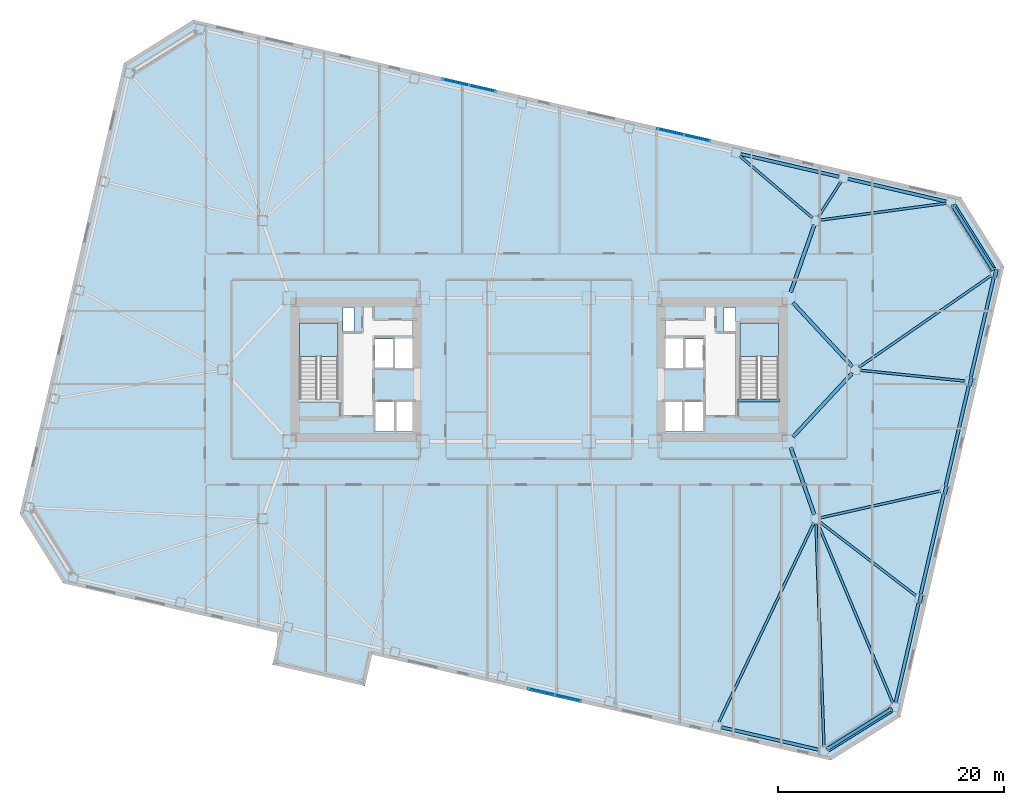
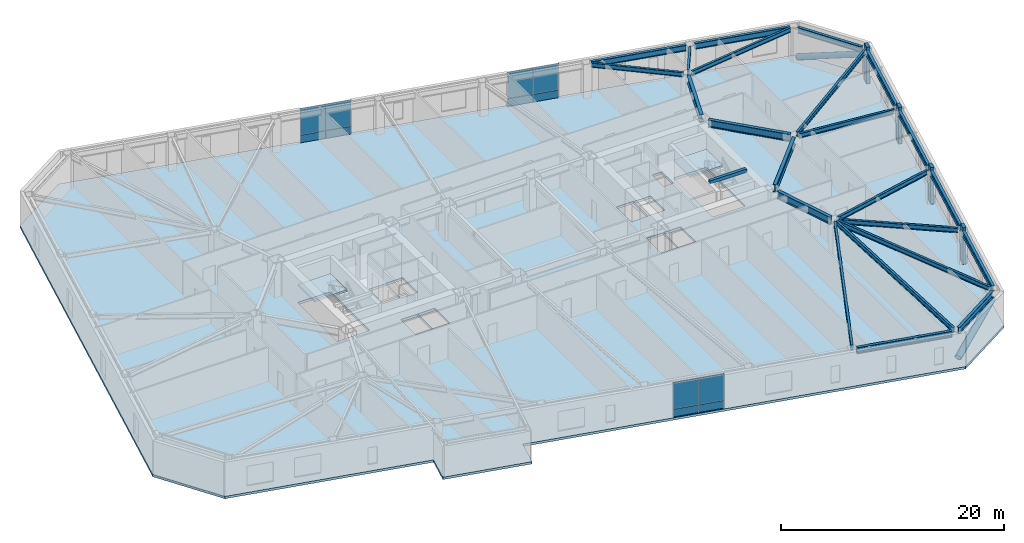
# One storey, part 7 of 18: 24 beams, 12 plates, 6 members, 3 slabs, 5 elements without a shape of their own.
"""IFC4 building model written with IfcOpenShell, lengths in metres."""

from ifc_helpers import new_model, si_unit, direction, frame, origin, origin_2d, place, context, subcontext, project, spatial, polyline, rectangle, hollow_circle, i_section, outline, extrude, material, layer, layer_set, material_profile, profile_set, type_object, element, aggregate, save


model = new_model("IFC4")

# Units and contexts
model_context = context("Model", 3, precision=1e-05, world=origin(), true_north=direction((0.0, 1.0)))
body_context = subcontext(model_context, "Body", "Model", "MODEL_VIEW")
ifc_project = project(units=[si_unit("LENGTHUNIT", "METRE"), si_unit("AREAUNIT", "SQUARE_METRE"), si_unit("VOLUMEUNIT", "CUBIC_METRE"), si_unit("PLANEANGLEUNIT", "RADIAN"), si_unit("MASSUNIT", "GRAM", prefix="KILO")], contexts=[model_context])

# Site, building, storey
site_placement = place(None, origin())
site = spatial("IfcSite", under=ifc_project, at=site_placement, CompositionType="ELEMENT")
building_placement = place(site_placement, origin())
building = spatial("IfcBuilding", under=site, at=building_placement, Name="Tavrogorsk Clinical Tower", CompositionType="ELEMENT")
storey_placement = place(building_placement, frame((0.0, 0.0, 51.39990234375)))
storey = spatial("IfcBuildingStorey", under=building, at=storey_placement, Name="L10", CompositionType="ELEMENT", Elevation=51.39990234375)

# Members
ifc_material_1 = material(Name="Structural steel S440", Category="steel")
ifc_material_profile_1 = material_profile(ifc_material_1, hollow_circle(Radius=0.304931640625, WallThickness=0.02490234375, at=origin_2d()), Name="CHS-610x25")
ifc_profile_set_1 = profile_set([ifc_material_profile_1], Name="Structural steel S440")
member_type_1 = type_object("IfcMemberType", Name="ExoBrace_CHS610", PredefinedType="BRACE", material=ifc_profile_set_1)
for number, where, z_axis, x_axis, name in (
    (1, (25.56396484375, -33.553955078125, 0.442626953125), (0.794678685861, 0.496570017703, 0.349147538667), (-0.529919005048, 0.848048258113, 0.0), "L10 Corner Exoskeleton Brace S8-E1"),
    (2, (36.65380859375, 14.481689453125, 0.442626953125), (0.496596175948, -0.794664984625, 0.349141518935), (0.848031606927, 0.529945651603, 0.0), "L10 Corner Exoskeleton Brace E5-N1"),
):
    element("IfcMember", number, at=place(storey_placement, frame(where, z_axis=z_axis, x_axis=x_axis)), inside=storey, type_object=member_type_1, Name=name, PredefinedType="BRACE", context=body_context, shape_type="SweptSolid", body=[
        extrude(hollow_circle(Radius=0.304931640625, WallThickness=0.02490234375, at=origin_2d()), origin(), (0.0, 0.0, 1.0), 7.03173828125),
    ])

# Beams
ifc_material_2 = material(Name="Structural steel S355", Category="steel")
ifc_material_profile_2 = material_profile(ifc_material_2, i_section(OverallWidth=0.219970703125, OverallDepth=0.5, WebThickness=0.012939453125, FlangeThickness=0.02001953125, at=origin_2d()), Name="B-500x220x13x20")
ifc_profile_set_2 = profile_set([ifc_material_profile_2], Name="Structural steel S355")
beam_type_1 = type_object("IfcBeamType", Name="FloorBeam_B500", PredefinedType="BEAM", material=ifc_profile_set_2)
beam_1_placement = place(storey_placement, frame((24.323486328125, -13.570068359375, 3.489990234375), z_axis=(-0.430503237889, -0.90258903282, 0.0), x_axis=(0.90258903282, -0.430503237889, 0.0)))
element("IfcBeam", 3, at=beam_1_placement, inside=storey, type_object=beam_type_1, Name="L10 Radial Floor Beam S7", PredefinedType="BEAM", context=body_context, shape_type="SweptSolid", body=[
    extrude(i_section(OverallWidth=0.219970703125, OverallDepth=0.5, WebThickness=0.012939453125, FlangeThickness=0.02001953125, at=origin_2d()), origin(), (0.0, 0.0, 1.0), 19.527587890625),
])
beam_2_placement = place(storey_placement, frame((24.5146484375, -13.609619140625, 3.489990234375), z_axis=(0.035968399295, -0.999352927775, 0.0), x_axis=(0.999352927775, 0.035968399295, 0.0)))
element("IfcBeam", 4, at=beam_2_placement, inside=storey, type_object=beam_type_1, Name="L10 Radial Floor Beam S8", PredefinedType="BEAM", context=body_context, shape_type="SweptSolid", body=[
    extrude(i_section(OverallWidth=0.219970703125, OverallDepth=0.5, WebThickness=0.012939453125, FlangeThickness=0.02001953125, at=origin_2d()), origin(), (0.0, 0.0, 1.0), 19.751953125),
])
beam_3_placement = place(storey_placement, frame((24.90625, 13.254638671875, 3.489990234375), z_axis=(0.991091561022, 0.133182272357, 0.0), x_axis=(-0.133182272357, 0.991091561022, 0.0)))
element("IfcBeam", 5, at=beam_3_placement, inside=storey, type_object=beam_type_1, Name="L10 Radial Floor Beam N1", PredefinedType="BEAM", context=body_context, shape_type="SweptSolid", body=[
    extrude(i_section(OverallWidth=0.219970703125, OverallDepth=0.5, WebThickness=0.012939453125, FlangeThickness=0.02001953125, at=origin_2d()), origin(), (0.0, 0.0, 1.0), 11.24072265625),
])
beam_4_placement = place(storey_placement, frame((24.722412109375, 13.54443359375, 3.489990234375), z_axis=(0.54237908978, 0.840133872052, 0.0), x_axis=(-0.840133872052, 0.54237908978, 0.0)))
element("IfcBeam", 6, at=beam_4_placement, inside=storey, type_object=beam_type_1, Name="L10 Radial Floor Beam N2", PredefinedType="BEAM", context=body_context, shape_type="SweptSolid", body=[
    extrude(i_section(OverallWidth=0.219970703125, OverallDepth=0.5, WebThickness=0.012939453125, FlangeThickness=0.02001953125, at=origin_2d()), origin(), (0.0, 0.0, 1.0), 3.70361328125),
])
beam_5_placement = place(storey_placement, frame((24.187744140625, 13.465576171875, 3.489990234375), z_axis=(-0.761805700094, 0.647805584496, 0.0), x_axis=(-0.647805584496, -0.761805700094, 0.0)))
element("IfcBeam", 7, at=beam_5_placement, inside=storey, type_object=beam_type_1, Name="L10 Radial Floor Beam N3", PredefinedType="BEAM", context=body_context, shape_type="SweptSolid", body=[
    extrude(i_section(OverallWidth=0.219970703125, OverallDepth=0.5, WebThickness=0.012939453125, FlangeThickness=0.02001953125, at=origin_2d()), origin(), (0.0, 0.0, 1.0), 8.431396484375),
])
beam_6_placement = place(storey_placement, frame((24.658447265625, -13.578125, 3.489990234375), z_axis=(0.386243430459, -0.922396884441, 0.0), x_axis=(0.922396884441, 0.386243430459, 0.0)))
element("IfcBeam", 8, at=beam_6_placement, inside=storey, type_object=beam_type_1, Name="L10 Radial Floor Beam E1", PredefinedType="BEAM", context=body_context, shape_type="SweptSolid", body=[
    extrude(i_section(OverallWidth=0.219970703125, OverallDepth=0.5, WebThickness=0.012939453125, FlangeThickness=0.02001953125, at=origin_2d()), origin(), (0.0, 0.0, 1.0), 17.243408203125),
])
beam_7_placement = place(storey_placement, frame((24.825439453125, -13.449462890625, 3.489990234375), z_axis=(0.7934457884, -0.608640929342, 0.0), x_axis=(0.608640929342, 0.7934457884, 0.0)))
element("IfcBeam", 9, at=beam_7_placement, inside=storey, type_object=beam_type_1, Name="L10 Radial Floor Beam E2", PredefinedType="BEAM", context=body_context, shape_type="SweptSolid", body=[
    extrude(i_section(OverallWidth=0.219970703125, OverallDepth=0.5, WebThickness=0.012939453125, FlangeThickness=0.02001953125, at=origin_2d()), origin(), (0.0, 0.0, 1.0), 10.769287109375),
])
beam_8_placement = place(storey_placement, frame((24.900146484375, -13.1103515625, 3.489990234375), z_axis=(0.975844140255, 0.218467878484, 0.0), x_axis=(-0.218467878484, 0.975844140255, 0.0)))
element("IfcBeam", 10, at=beam_8_placement, inside=storey, type_object=beam_type_1, Name="L10 Radial Floor Beam E3", PredefinedType="BEAM", context=body_context, shape_type="SweptSolid", body=[
    extrude(i_section(OverallWidth=0.219970703125, OverallDepth=0.5, WebThickness=0.012939453125, FlangeThickness=0.02001953125, at=origin_2d()), origin(), (0.0, 0.0, 1.0), 10.876708984375),
])
beam_9_placement = place(storey_placement, frame((28.407958984375, -0.041748046875, 3.489990234375), z_axis=(0.994791610226, -0.101929643501, 0.0), x_axis=(0.101929643501, 0.994791610226, 0.0)))
element("IfcBeam", 11, at=beam_9_placement, inside=storey, type_object=beam_type_1, Name="L10 Radial Floor Beam E4", PredefinedType="BEAM", context=body_context, shape_type="SweptSolid", body=[
    extrude(i_section(OverallWidth=0.219970703125, OverallDepth=0.5, WebThickness=0.012939453125, FlangeThickness=0.02001953125, at=origin_2d()), origin(), (0.0, 0.0, 1.0), 9.365234375),
])
beam_10_placement = place(storey_placement, frame((28.3369140625, 0.233642578125, 3.489990234375), z_axis=(0.82154295725, 0.570146620961, 0.0), x_axis=(-0.570146620961, 0.82154295725, 0.0)))
element("IfcBeam", 12, at=beam_10_placement, inside=storey, type_object=beam_type_1, Name="L10 Radial Floor Beam E5", PredefinedType="BEAM", context=body_context, shape_type="SweptSolid", body=[
    extrude(i_section(OverallWidth=0.219970703125, OverallDepth=0.5, WebThickness=0.012939453125, FlangeThickness=0.02001953125, at=origin_2d()), origin(), (0.0, 0.0, 1.0), 14.212646484375),
])

# Members
ifc_material_3 = material(Name="Precast concrete B45 with limestone cladding", Category="masonry")
ifc_material_profile_3 = material_profile(ifc_material_3, rectangle(XDim=0.320068359375, YDim=0.719970703125, at=origin_2d()), Name="LIMESTONE-FIN-320x720")
ifc_profile_set_3 = profile_set([ifc_material_profile_3], Name="Precast concrete B45 with limestone cladding")
member_type_2 = type_object("IfcMemberType", Name="LimestonePleatFin_320x720", PredefinedType="USERDEFINED", material=ifc_profile_set_3)
for number, where, z_axis, x_axis, name in (
    (13, (33.772216796875, -20.2705078125, 0.0), (0.0, 0.0, 1.0), (0.974370064785, -0.224951054344, 0.0), "L10 E Pleated Stone Fin 1"),
    (14, (35.990234375, -10.6630859375, 0.0), (0.0, 0.0, 1.0), (0.974370064785, -0.224951054344, 0.0), "L10 E Pleated Stone Fin 2"),
    (15, (38.208251953125, -1.055908203125, 0.0), (0.0, 0.0, 1.0), (0.974370064785, -0.224951054344, 0.0), "L10 E Pleated Stone Fin 3"),
    (16, (40.42626953125, 8.551513671875, 0.0), (0.0, 0.0, 1.0), (0.974370064785, -0.224951054344, 0.0), "L10 E Pleated Stone Fin 4"),
):
    element("IfcMember", number, at=place(storey_placement, frame(where, z_axis=z_axis, x_axis=x_axis)), inside=storey, type_object=member_type_2, Name=name, ObjectType="FIN", PredefinedType="USERDEFINED", context=body_context, shape_type="SweptSolid", body=[
        extrude(rectangle(XDim=0.320068359375, YDim=0.719970703125, at=origin_2d()), origin(), (0.0, 0.0, 1.0), 4.0),
    ])

# Beams
ifc_material_4 = material(Name="Structural steel S390", Category="steel")
ifc_material_profile_4 = material_profile(ifc_material_4, i_section(OverallWidth=0.320068359375, OverallDepth=0.800048828125, WebThickness=0.02001953125, FlangeThickness=0.033935546875, at=origin_2d()), Name="B-800x320x20x34")
ifc_profile_set_4 = profile_set([ifc_material_profile_4], Name="Structural steel S390")
beam_type_2 = type_object("IfcBeamType", Name="PrimaryGirder_B800", PredefinedType="USERDEFINED", material=ifc_profile_set_4)
for number, where, z_axis, x_axis, name in (
    (17, (24.364501953125, -12.81298828125, 3.340087890625), (-0.330668611543, 0.943746930771, 0.0), (-0.943746930771, -0.330668611543, 0.0), "L10 Spine Link Girder OPG-2"),
    (18, (24.364501953125, 12.81298828125, 3.340087890625), (-0.330668611543, -0.943746930771, 0.0), (0.943746930771, -0.330668611543, 0.0), "L10 Spine Link Girder OPG-4"),
):
    element("IfcBeam", number, at=place(storey_placement, frame(where, z_axis=z_axis, x_axis=x_axis)), inside=storey, type_object=beam_type_2, Name=name, ObjectType="GIRDER", PredefinedType="USERDEFINED", context=body_context, shape_type="SweptSolid", body=[
        extrude(i_section(OverallWidth=0.320068359375, OverallDepth=0.800048828125, WebThickness=0.02001953125, FlangeThickness=0.033935546875, at=origin_2d()), origin(), (0.0, 0.0, 1.0), 6.288330078125),
    ])
for number, where, z_axis, x_axis, name in (
    (19, (27.720947265625, -0.30029296875, 3.340087890625), (-0.680671250221, -0.732589004233, 0.0), (0.732589004233, -0.680671250221, 0.0), "L10 Spine Link Girder OPG-7"),
    (20, (27.720947265625, 0.30029296875, 3.340087890625), (-0.680671250221, 0.732589004233, 0.0), (-0.732589004233, -0.680671250221, 0.0), "L10 Spine Link Girder OPG-8"),
):
    element("IfcBeam", number, at=place(storey_placement, frame(where, z_axis=z_axis, x_axis=x_axis)), inside=storey, type_object=beam_type_2, Name=name, ObjectType="GIRDER", PredefinedType="USERDEFINED", context=body_context, shape_type="SweptSolid", body=[
        extrude(i_section(OverallWidth=0.320068359375, OverallDepth=0.800048828125, WebThickness=0.02001953125, FlangeThickness=0.033935546875, at=origin_2d()), origin(), (0.0, 0.0, 1.0), 7.697998046875),
    ])
ifc_material_5 = material(Name="Structural steel S390", Category="steel")
ifc_material_profile_5 = material_profile(ifc_material_5, i_section(OverallWidth=0.280029296875, OverallDepth=0.64990234375, WebThickness=0.01611328125, FlangeThickness=0.02490234375, at=origin_2d()), Name="B-650x280x16x25")
ifc_profile_set_5 = profile_set([ifc_material_profile_5], Name="Structural steel S390")
beam_type_3 = type_object("IfcBeamType", Name="SpandrelBeam_B650", PredefinedType="SPANDREL", material=ifc_profile_set_5)
beam_11_placement = place(storey_placement, frame((16.138427734375, -31.655517578125, 3.4150390625), z_axis=(0.974372766602, -0.224939351168, 0.0), x_axis=(0.224939351168, 0.974372766602, 0.0)))
element("IfcBeam", 21, at=beam_11_placement, inside=storey, type_object=beam_type_3, Name="L10 Perimeter Spandrel S7-S8", PredefinedType="SPANDREL", context=body_context, shape_type="SweptSolid", body=[
    extrude(i_section(OverallWidth=0.280029296875, OverallDepth=0.64990234375, WebThickness=0.01611328125, FlangeThickness=0.02490234375, at=origin_2d()), origin(), (0.0, 0.0, 1.0), 8.9326171875),
])
beam_12_placement = place(storey_placement, frame((25.585693359375, -33.540283203125, 3.4150390625), z_axis=(0.848061235793, 0.529898235839, 0.0), x_axis=(-0.529898235839, 0.848061235793, 0.0)))
element("IfcBeam", 22, at=beam_12_placement, inside=storey, type_object=beam_type_3, Name="L10 Perimeter Spandrel S8-E1", PredefinedType="SPANDREL", context=body_context, shape_type="SweptSolid", body=[
    extrude(i_section(OverallWidth=0.280029296875, OverallDepth=0.64990234375, WebThickness=0.01611328125, FlangeThickness=0.02490234375, at=origin_2d()), origin(), (0.0, 0.0, 1.0), 6.537841796875),
])
beam_13_placement = place(storey_placement, frame((31.56787109375, -29.462158203125, 3.4150390625), z_axis=(0.224971881043, 0.974365256328, 0.0), x_axis=(-0.974365256328, 0.224971881043, 0.0)))
element("IfcBeam", 23, at=beam_13_placement, inside=storey, type_object=beam_type_3, Name="L10 Perimeter Spandrel E1-E2", PredefinedType="SPANDREL", context=body_context, shape_type="SweptSolid", body=[
    extrude(i_section(OverallWidth=0.280029296875, OverallDepth=0.64990234375, WebThickness=0.01611328125, FlangeThickness=0.02490234375, at=origin_2d()), origin(), (0.0, 0.0, 1.0), 9.044189453125),
])
for number, where, z_axis, x_axis, name in (
    (24, (33.785888671875, -19.85498046875, 3.4150390625), (0.224946252597, 0.974371173343, 0.0), (-0.974371173343, 0.224946252597, 0.0), "L10 Perimeter Spandrel E2-E3"),
    (25, (36.00390625, -10.24755859375, 3.4150390625), (0.224946252597, 0.974371173343, 0.0), (-0.974371173343, 0.224946252597, 0.0), "L10 Perimeter Spandrel E3-E4"),
):
    element("IfcBeam", number, at=place(storey_placement, frame(where, z_axis=z_axis, x_axis=x_axis)), inside=storey, type_object=beam_type_3, Name=name, PredefinedType="SPANDREL", context=body_context, shape_type="SweptSolid", body=[
        extrude(i_section(OverallWidth=0.280029296875, OverallDepth=0.64990234375, WebThickness=0.01611328125, FlangeThickness=0.02490234375, at=origin_2d()), origin(), (0.0, 0.0, 1.0), 9.0439453125),
    ])
beam_14_placement = place(storey_placement, frame((38.221923828125, -0.640380859375, 3.4150390625), z_axis=(0.224971881043, 0.974365256328, 0.0), x_axis=(-0.974365256328, 0.224971881043, 0.0)))
element("IfcBeam", 26, at=beam_14_placement, inside=storey, type_object=beam_type_3, Name="L10 Perimeter Spandrel E4-E5", PredefinedType="SPANDREL", context=body_context, shape_type="SweptSolid", body=[
    extrude(i_section(OverallWidth=0.280029296875, OverallDepth=0.64990234375, WebThickness=0.01611328125, FlangeThickness=0.02490234375, at=origin_2d()), origin(), (0.0, 0.0, 1.0), 9.044189453125),
])
beam_15_placement = place(storey_placement, frame((40.132080078125, 8.91552734375, 3.4150390625), z_axis=(-0.529925092475, 0.848044454239, 0.0), x_axis=(-0.848044454239, -0.529925092475, 0.0)))
element("IfcBeam", 27, at=beam_15_placement, inside=storey, type_object=beam_type_3, Name="L10 Perimeter Spandrel E5-N1", PredefinedType="SPANDREL", context=body_context, shape_type="SweptSolid", body=[
    extrude(i_section(OverallWidth=0.280029296875, OverallDepth=0.64990234375, WebThickness=0.01611328125, FlangeThickness=0.02490234375, at=origin_2d()), origin(), (0.0, 0.0, 1.0), 6.537841796875),
])
for number, where, z_axis, x_axis, name in (
    (28, (36.0537109375, 14.897705078125, 3.4150390625), (-0.974366775889, 0.224965299645, 0.0), (-0.224965299645, -0.974366775889, 0.0), "L10 Perimeter Spandrel N1-N2"),
    (29, (26.554931640625, 17.090576171875, 3.4150390625), (-0.974366775889, 0.224965299645, 0.0), (-0.224965299645, -0.974366775889, 0.0), "L10 Perimeter Spandrel N2-N3"),
):
    element("IfcBeam", number, at=place(storey_placement, frame(where, z_axis=z_axis, x_axis=x_axis)), inside=storey, type_object=beam_type_3, Name=name, PredefinedType="SPANDREL", context=body_context, shape_type="SweptSolid", body=[
        extrude(i_section(OverallWidth=0.280029296875, OverallDepth=0.64990234375, WebThickness=0.01611328125, FlangeThickness=0.02490234375, at=origin_2d()), origin(), (0.0, 0.0, 1.0), 8.9326171875),
    ])
ifc_material_6 = material(Name="Concrete B60", Category="concrete")
ifc_material_profile_6 = material_profile(ifc_material_6, rectangle(XDim=0.300048828125, YDim=0.35009765625, at=origin_2d()), Name="RC-SHB-300x350")
ifc_profile_set_6 = profile_set([ifc_material_profile_6], Name="Concrete B60")
beam_type_4 = type_object("IfcBeamType", Name="StairHeaderBeam_RC300x350", PredefinedType="BEAM", material=ifc_profile_set_6)
beam_16_placement = place(storey_placement, frame((17.550048828125, -2.719970703125, 3.8251953125), z_axis=(1.0, 0.0, 0.0), x_axis=(0.0, 1.0, 0.0)))
element("IfcBeam", 30, at=beam_16_placement, inside=storey, type_object=beam_type_4, Name="L11 ST-E Landing Header Beam", PredefinedType="BEAM", context=body_context, shape_type="SweptSolid", body=[
    extrude(rectangle(XDim=0.300048828125, YDim=0.35009765625, at=origin_2d()), origin(), (0.0, 0.0, 1.0), 3.800048828125),
])

# Curtain wall, plates
ifc_material_7 = material(Name="Anodised aluminium and triple IGU glazing", Category="aluminium")
ifc_layer_1 = layer(ifc_material_7, 0.179931640625)
ifc_layer_set_1 = layer_set([ifc_layer_1], Name="Anodised aluminium and triple IGU glazing")
curtain_wall_type_1 = type_object("IfcCurtainWallType", Name="CW3_SouthSlot", PredefinedType="NOTDEFINED", material=ifc_layer_set_1)
curtain_wall_1_placement = place(storey_placement, origin())
curtain_wall_1 = element("IfcCurtainWall", 31, at=curtain_wall_1_placement, inside=storey, type_object=curtain_wall_type_1, Name="L10 Curtain Wall CW-L10-S-SLOT-2", PredefinedType="NOTDEFINED")
ifc_material_8 = material(Name="Honed Podolsk limestone spandrel panel", Category="masonry")
ifc_layer_2 = layer(ifc_material_8, 0.080078125)
ifc_layer_set_2 = layer_set([ifc_layer_2], Name="Honed Podolsk limestone spandrel panel")
plate_type_1 = type_object("IfcPlateType", Name="CwSpandrelStonePanel_80", PredefinedType="CURTAIN_PANEL", material=ifc_layer_set_2)
plate_1_placement = place(storey_placement, frame((0.201171875, -28.49951171875, 0.002197265625), z_axis=(0.0, 0.0, 1.0), x_axis=(0.974370102963, -0.224950888978, 0.0)))
plate_1 = element("IfcPlate", 32, at=plate_1_placement, type_object=plate_type_1, Name="CW-L10-S-SLOT-2 Stone Spandrel Panel 1", PredefinedType="CURTAIN_PANEL", context=body_context, shape_type="SweptSolid", body=[
    extrude(rectangle(XDim=2.39208984375, YDim=0.080078125, at=origin_2d()), origin(), (0.0, 0.0, 1.0), 0.8359375),
])
plate_2_placement = place(storey_placement, frame((2.55517578125, -29.04296875, 0.002197265625), z_axis=(0.0, 0.0, 1.0), x_axis=(0.974370102963, -0.224950888978, 0.0)))
plate_2 = element("IfcPlate", 33, at=plate_2_placement, type_object=plate_type_1, Name="CW-L10-S-SLOT-2 Stone Spandrel Panel 2", PredefinedType="CURTAIN_PANEL", context=body_context, shape_type="SweptSolid", body=[
    extrude(rectangle(XDim=2.39208984375, YDim=0.080078125, at=origin_2d()), origin(), (0.0, 0.0, 1.0), 0.8359375),
])

ifc_material_9 = material(Name="Anodised aluminium and triple IGU glazing", Category="aluminium")
ifc_layer_3 = layer(ifc_material_9, 0.179931640625)
ifc_layer_set_3 = layer_set([ifc_layer_3], Name="Anodised aluminium and triple IGU glazing")
curtain_wall_type_2 = type_object("IfcCurtainWallType", Name="CW2_NorthSlot", PredefinedType="NOTDEFINED", material=ifc_layer_set_3)
curtain_wall_2_placement = place(storey_placement, origin())
curtain_wall_2 = element("IfcCurtainWall", 34, at=curtain_wall_2_placement, inside=storey, type_object=curtain_wall_type_2, Name="L10 Curtain Wall CW-L10-N-SLOT-1", PredefinedType="NOTDEFINED")
plate_3_placement = place(storey_placement, frame((-5.001220703125, 24.8994140625, 0.002197265625), z_axis=(0.0, 0.0, 1.0), x_axis=(-0.974370102963, 0.224950888978, 0.0)))
plate_3 = element("IfcPlate", 35, at=plate_3_placement, type_object=plate_type_1, Name="CW-L10-N-SLOT-1 Stone Spandrel Panel 1", PredefinedType="CURTAIN_PANEL", context=body_context, shape_type="SweptSolid", body=[
    extrude(rectangle(XDim=2.39208984375, YDim=0.080078125, at=origin_2d()), origin(), (0.0, 0.0, 1.0), 0.8359375),
])
plate_4_placement = place(storey_placement, frame((-7.355224609375, 25.44287109375, 0.002197265625), z_axis=(0.0, 0.0, 1.0), x_axis=(-0.974370102963, 0.224950888978, 0.0)))
plate_4 = element("IfcPlate", 36, at=plate_4_placement, type_object=plate_type_1, Name="CW-L10-N-SLOT-1 Stone Spandrel Panel 2", PredefinedType="CURTAIN_PANEL", context=body_context, shape_type="SweptSolid", body=[
    extrude(rectangle(XDim=2.39208984375, YDim=0.080078125, at=origin_2d()), origin(), (0.0, 0.0, 1.0), 0.8359375),
])

curtain_wall_3_placement = place(storey_placement, origin())
curtain_wall_3 = element("IfcCurtainWall", 37, at=curtain_wall_3_placement, inside=storey, type_object=curtain_wall_type_2, Name="L10 Curtain Wall CW-L10-N-SLOT-2", PredefinedType="NOTDEFINED")
plate_5_placement = place(storey_placement, frame((13.996337890625, 20.513427734375, 0.002197265625), z_axis=(0.0, 0.0, 1.0), x_axis=(-0.974370046851, 0.224951132027, 0.0)))
plate_5 = element("IfcPlate", 38, at=plate_5_placement, type_object=plate_type_1, Name="CW-L10-N-SLOT-2 Stone Spandrel Panel 1", PredefinedType="CURTAIN_PANEL", context=body_context, shape_type="SweptSolid", body=[
    extrude(rectangle(XDim=2.39208984375, YDim=0.080078125, at=origin_2d()), origin(), (0.0, 0.0, 1.0), 0.8359375),
])
plate_6_placement = place(storey_placement, frame((11.642333984375, 21.05712890625, 0.002197265625), z_axis=(0.0, 0.0, 1.0), x_axis=(-0.974370046851, 0.224951132027, 0.0)))
plate_6 = element("IfcPlate", 39, at=plate_6_placement, type_object=plate_type_1, Name="CW-L10-N-SLOT-2 Stone Spandrel Panel 2", PredefinedType="CURTAIN_PANEL", context=body_context, shape_type="SweptSolid", body=[
    extrude(rectangle(XDim=2.39208984375, YDim=0.080078125, at=origin_2d()), origin(), (0.0, 0.0, 1.0), 0.8359375),
])

# Plate
ifc_material_10 = material(Name="Triple low-E argon insulated glass", Category="glass")
ifc_layer_4 = layer(ifc_material_10, 0.048095703125)
ifc_layer_set_4 = layer_set([ifc_layer_4], Name="Triple low-E argon insulated glass")
plate_type_2 = type_object("IfcPlateType", Name="CwVisionGlassPanel_48", PredefinedType="CURTAIN_PANEL", material=ifc_layer_set_4)
plate_7_placement = place(storey_placement, frame((0.201171875, -28.49951171875, 0.862060546875), z_axis=(0.0, 0.0, 1.0), x_axis=(0.974370102963, -0.224950888978, 0.0)))
plate_7 = element("IfcPlate", 40, at=plate_7_placement, type_object=plate_type_2, Name="CW-L10-S-SLOT-2 Glazing Panel 1", PredefinedType="CURTAIN_PANEL", context=body_context, shape_type="SweptSolid", body=[
    extrude(rectangle(XDim=2.39208984375, YDim=0.048095703125, at=origin_2d()), origin(), (0.0, 0.0, 1.0), 2.8759765625),
])

plate_8_placement = place(storey_placement, frame((2.55517578125, -29.04296875, 0.862060546875), z_axis=(0.0, 0.0, 1.0), x_axis=(0.974370102963, -0.224950888978, 0.0)))
plate_8 = element("IfcPlate", 41, at=plate_8_placement, type_object=plate_type_2, Name="CW-L10-S-SLOT-2 Glazing Panel 2", PredefinedType="CURTAIN_PANEL", context=body_context, shape_type="SweptSolid", body=[
    extrude(rectangle(XDim=2.39208984375, YDim=0.048095703125, at=origin_2d()), origin(), (0.0, 0.0, 1.0), 2.8759765625),
])

aggregate(curtain_wall_1, [plate_1, plate_7, plate_2, plate_8])

plate_9_placement = place(storey_placement, frame((-5.001220703125, 24.8994140625, 0.862060546875), z_axis=(0.0, 0.0, 1.0), x_axis=(-0.974370102963, 0.224950888978, 0.0)))
plate_9 = element("IfcPlate", 42, at=plate_9_placement, type_object=plate_type_2, Name="CW-L10-N-SLOT-1 Glazing Panel 1", PredefinedType="CURTAIN_PANEL", context=body_context, shape_type="SweptSolid", body=[
    extrude(rectangle(XDim=2.39208984375, YDim=0.048095703125, at=origin_2d()), origin(), (0.0, 0.0, 1.0), 2.8759765625),
])

plate_10_placement = place(storey_placement, frame((-7.355224609375, 25.44287109375, 0.862060546875), z_axis=(0.0, 0.0, 1.0), x_axis=(-0.974370102963, 0.224950888978, 0.0)))
plate_10 = element("IfcPlate", 43, at=plate_10_placement, type_object=plate_type_2, Name="CW-L10-N-SLOT-1 Glazing Panel 2", PredefinedType="CURTAIN_PANEL", context=body_context, shape_type="SweptSolid", body=[
    extrude(rectangle(XDim=2.39208984375, YDim=0.048095703125, at=origin_2d()), origin(), (0.0, 0.0, 1.0), 2.8759765625),
])

aggregate(curtain_wall_2, [plate_3, plate_9, plate_4, plate_10])

plate_11_placement = place(storey_placement, frame((13.996337890625, 20.513427734375, 0.862060546875), z_axis=(0.0, 0.0, 1.0), x_axis=(-0.974370046851, 0.224951132027, 0.0)))
plate_11 = element("IfcPlate", 44, at=plate_11_placement, type_object=plate_type_2, Name="CW-L10-N-SLOT-2 Glazing Panel 1", PredefinedType="CURTAIN_PANEL", context=body_context, shape_type="SweptSolid", body=[
    extrude(rectangle(XDim=2.39208984375, YDim=0.048095703125, at=origin_2d()), origin(), (0.0, 0.0, 1.0), 2.8759765625),
])

plate_12_placement = place(storey_placement, frame((11.642333984375, 21.05712890625, 0.862060546875), z_axis=(0.0, 0.0, 1.0), x_axis=(-0.974370046851, 0.224951132027, 0.0)))
plate_12 = element("IfcPlate", 45, at=plate_12_placement, type_object=plate_type_2, Name="CW-L10-N-SLOT-2 Glazing Panel 2", PredefinedType="CURTAIN_PANEL", context=body_context, shape_type="SweptSolid", body=[
    extrude(rectangle(XDim=2.39208984375, YDim=0.048095703125, at=origin_2d()), origin(), (0.0, 0.0, 1.0), 2.8759765625),
])

aggregate(curtain_wall_3, [plate_5, plate_11, plate_6, plate_12])

# Stair, slab
ifc_material_11 = material(Name="Concrete B60", Category="concrete")
stair_type = type_object("IfcStairType", Name="CoreStairAssembly", PredefinedType="HALF_TURN_STAIR", material=ifc_material_11)
stair_1_placement = place(storey_placement, origin())
stair_1 = element("IfcStair", 46, at=stair_1_placement, inside=storey, type_object=stair_type, Name="L10 ST-W", PredefinedType="HALF_TURN_STAIR")
ifc_material_12 = material(Name="Concrete B60", Category="concrete")
ifc_layer_5 = layer(ifc_material_12, 0.199951171875)
ifc_layer_set_5 = layer_set([ifc_layer_5], Name="Concrete B60")
slab_type_1 = type_object("IfcSlabType", Name="StairLanding_200", PredefinedType="LANDING", material=ifc_layer_set_5)
slab_1_placement = place(storey_placement, frame((0.0, 0.0, 1.800048828125)))
slab_1 = element("IfcSlab", 47, at=slab_1_placement, type_object=slab_type_1, Name="ST-W landing 1", PredefinedType="LANDING", context=body_context, shape_type="SweptSolid", body=[
    extrude(outline(polyline([(-17.800048828125, 1.1650390625), (-17.800048828125, 4.125), (-21.199951171875, 4.125), (-21.199951171875, 1.1650390625), (-17.800048828125, 1.1650390625)])), origin(), (0.0, 0.0, 1.0), 0.199951171875),
])
aggregate(stair_1, [slab_1])

stair_2_placement = place(storey_placement, origin())
stair_2 = element("IfcStair", 48, at=stair_2_placement, inside=storey, type_object=stair_type, Name="L10 ST-E", PredefinedType="HALF_TURN_STAIR")
slab_2_placement = place(storey_placement, frame((0.0, 0.0, 1.800048828125)))
slab_2 = element("IfcSlab", 49, at=slab_2_placement, type_object=slab_type_1, Name="ST-E landing 1", PredefinedType="LANDING", context=body_context, shape_type="SweptSolid", body=[
    extrude(outline(polyline([(21.199951171875, 1.1650390625), (21.199951171875, 4.125), (17.800048828125, 4.125), (17.800048828125, 1.1650390625), (21.199951171875, 1.1650390625)])), origin(), (0.0, 0.0, 1.0), 0.199951171875),
])
aggregate(stair_2, [slab_2])

# Slab
ifc_material_13 = material(Name="Concrete B60", Category="concrete")
ifc_layer_6 = layer(ifc_material_13, 0.260009765625)
ifc_layer_set_6 = layer_set([ifc_layer_6], Name="Concrete B60")
slab_type_2 = type_object("IfcSlabType", Name="WardSlab_260", PredefinedType="FLOOR", material=ifc_layer_set_6)
slab_3_placement = place(storey_placement, frame((0.0, 0.0, -0.260009765625)))
element("IfcSlab", 50, at=slab_3_placement, inside=storey, type_object=slab_type_2, Name="L10 Structural Slab", PredefinedType="FLOOR", context=body_context, shape_type="SweptSolid", body=[
    extrude(outline(polyline([(-42.06689453125, -18.91552734375), (-45.9638671875, -12.67919921875), (-36.785888671875, 27.0751953125), (-30.54931640625, 30.97216796875), (37.266845703125, 15.315673828125), (41.163818359375, 9.0791015625), (31.98583984375, -30.67529296875), (25.749267578125, -34.572265625), (-14.784423828125, -25.214111328125), (-15.425537109375, -27.9912109375), (-23.6103515625, -26.1015625), (-22.96923828125, -23.32470703125), (-42.06689453125, -18.91552734375)]), holes=[polyline([(-17.800048828125, -2.8798828125), (-17.800048828125, 4.125), (-21.199951171875, 4.125), (-21.199951171875, -2.8798828125), (-17.800048828125, -2.8798828125)]), polyline([(21.199951171875, -2.8798828125), (21.199951171875, 4.125), (17.800048828125, 4.125), (17.800048828125, -2.8798828125), (21.199951171875, -2.8798828125)]), polyline([(-14.6201171875, 0.169921875), (-12.860107421875, 0.169921875), (-12.860107421875, 2.72998046875), (-14.6201171875, 2.72998046875), (-14.6201171875, 0.169921875)]), polyline([(-14.530029296875, -5.47998046875), (-12.77001953125, -5.47998046875), (-12.77001953125, -2.820068359375), (-14.530029296875, -2.820068359375), (-14.530029296875, -5.47998046875)]), polyline([(-12.72998046875, -5.47998046875), (-10.969970703125, -5.47998046875), (-10.969970703125, -2.820068359375), (-12.72998046875, -2.820068359375), (-12.72998046875, -5.47998046875)]), polyline([(-12.840087890625, 0.1201171875), (-11.080078125, 0.1201171875), (-11.080078125, 2.780029296875), (-12.840087890625, 2.780029296875), (-12.840087890625, 0.1201171875)]), polyline([(12.860107421875, 0.169921875), (14.6201171875, 0.169921875), (14.6201171875, 2.72998046875), (12.860107421875, 2.72998046875), (12.860107421875, 0.169921875)]), polyline([(12.77001953125, -5.47998046875), (14.530029296875, -5.47998046875), (14.530029296875, -2.820068359375), (12.77001953125, -2.820068359375), (12.77001953125, -5.47998046875)]), polyline([(10.969970703125, -5.47998046875), (12.72998046875, -5.47998046875), (12.72998046875, -2.820068359375), (10.969970703125, -2.820068359375), (10.969970703125, -5.47998046875)]), polyline([(11.080078125, 0.1201171875), (12.840087890625, 0.1201171875), (12.840087890625, 2.780029296875), (11.080078125, 2.780029296875), (11.080078125, 0.1201171875)]), polyline([(-17.3798828125, 3.449951171875), (-16.3798828125, 3.449951171875), (-16.3798828125, 5.5), (-17.3798828125, 5.5), (-17.3798828125, 3.449951171875)]), polyline([(16.3798828125, 3.449951171875), (17.3798828125, 3.449951171875), (17.3798828125, 5.5), (16.3798828125, 5.5), (16.3798828125, 3.449951171875)])]), origin(), (0.0, 0.0, 1.0), 0.260009765625),
])

save(model, "model.ifc")
